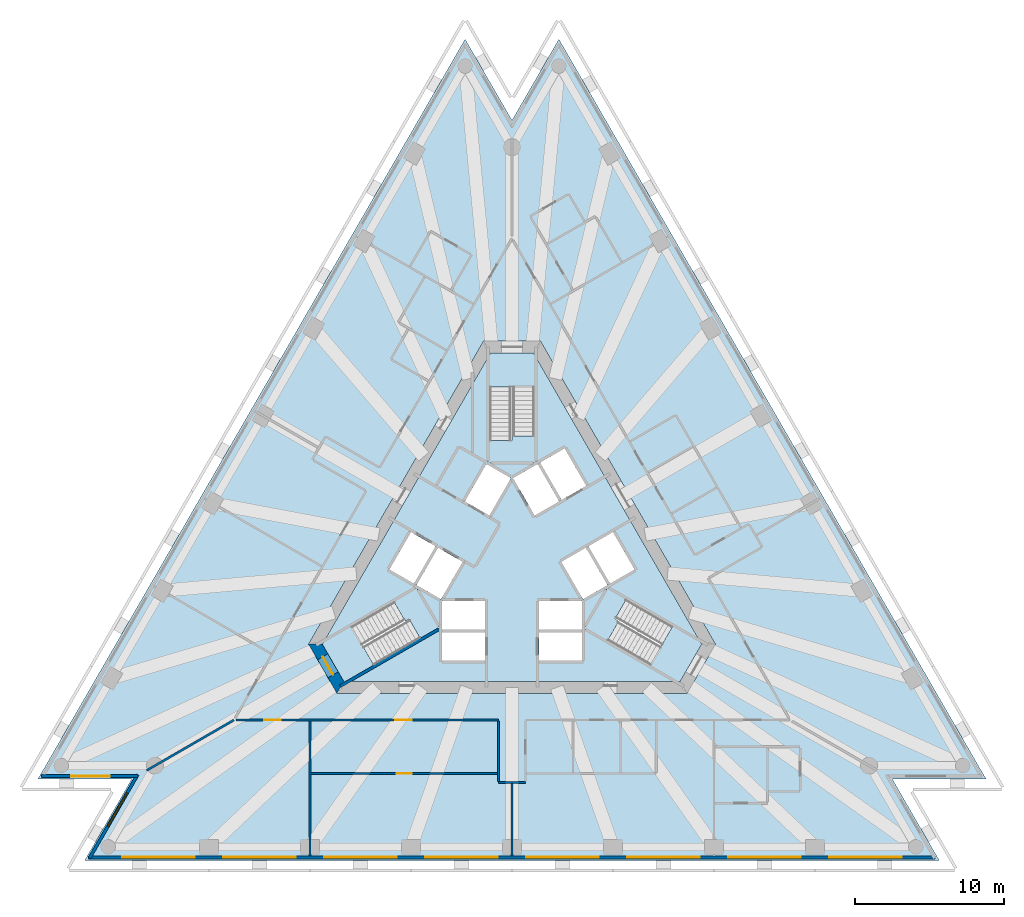
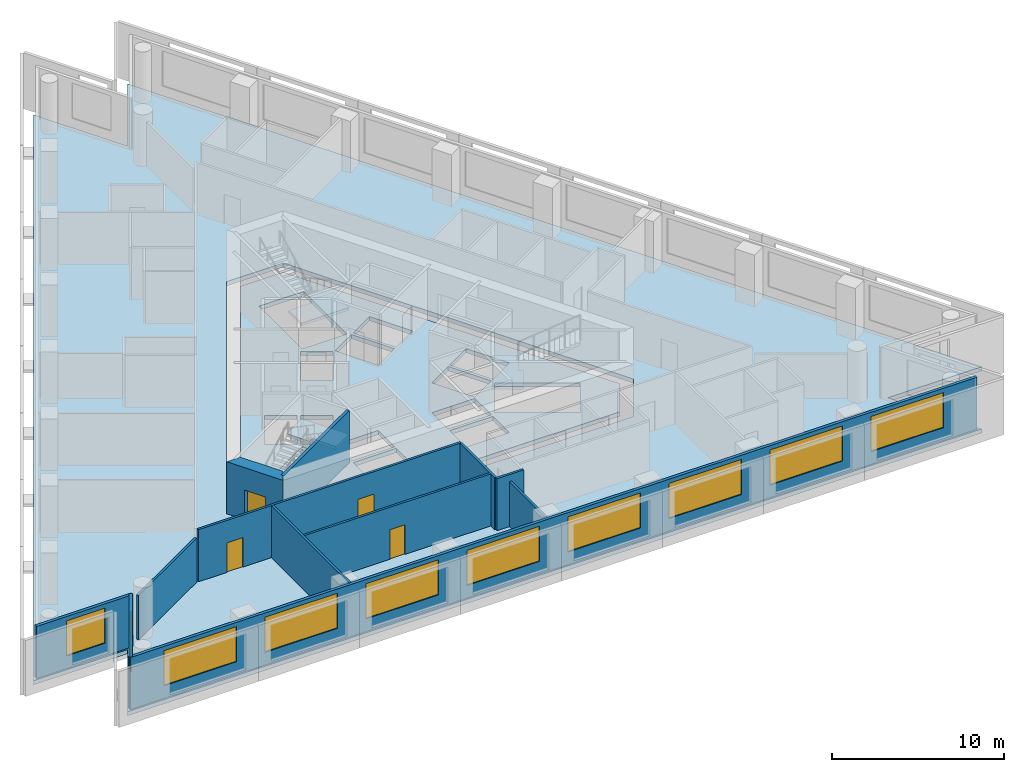
# One storey, part 2 of 9: 12 walls, 10 windows, 5 slabs, 4 doors, 14 openings, 3 elements without a shape of their own.
"""IFC4 building model written with IfcOpenShell, lengths in metres."""

from ifc_helpers import new_model, si_unit, direction, frame, frame_2d, origin, place, context, subcontext, project, spatial, polyline, rectangle, outline, extrude, material, layer, layer_set, layer_usage, type_object, element, fill, aggregate, save


model = new_model("IFC4")

# Units and contexts
model_context = context("Model", 3, precision=1e-05, world=origin(), true_north=direction((0.0, 1.0)))
body_context = subcontext(model_context, "Body", "Model", "MODEL_VIEW")
ifc_project = project(units=[si_unit("LENGTHUNIT", "METRE"), si_unit("AREAUNIT", "SQUARE_METRE"), si_unit("VOLUMEUNIT", "CUBIC_METRE"), si_unit("PLANEANGLEUNIT", "RADIAN"), si_unit("MASSUNIT", "GRAM", prefix="KILO")], contexts=[model_context])

# Site, building, storey
site_placement = place(None, origin())
site = spatial("IfcSite", under=ifc_project, at=site_placement, CompositionType="ELEMENT")
building_placement = place(site_placement, origin())
building = spatial("IfcBuilding", under=site, at=building_placement, Name="Triada Interchange Tower", CompositionType="ELEMENT")
storey_placement = place(building_placement, frame((0.0, 0.0, 128.300048828125)))
storey = spatial("IfcBuildingStorey", under=building, at=storey_placement, Name="L29", CompositionType="ELEMENT", Elevation=128.300048828125)

# Slabs
ifc_material_1 = material(Name="Concrete C50/60", Category="concrete")
ifc_layer_1 = layer(ifc_material_1, 0.300048828125)
ifc_layer_set_1 = layer_set([ifc_layer_1], Name="Floor slab 300")
slab_type_1 = type_object("IfcSlabType", Name="Floor slab 300", PredefinedType="FLOOR", material=ifc_layer_set_1)
slab_1_placement = place(storey_placement, frame((0.0, 0.0, -0.300048828125)))
element("IfcSlab", 1, at=slab_1_placement, inside=storey, type_object=slab_type_1, Name="Floor slab L29", PredefinedType="FLOOR", context=body_context, shape_type="SweptSolid", body=[
    extrude(outline(polyline([(-3.154052734375, 35.0009765625), (-31.888916015625, -14.76904296875), (-25.5810546875, -14.76904296875), (-28.735107421875, -20.23193359375), (28.735107421875, -20.23193359375), (25.5810546875, -14.76904296875), (31.888916015625, -14.76904296875), (3.154052734375, 35.0009765625), (0.0, 29.5390625), (-3.154052734375, 35.0009765625)]), holes=[polyline([(1.905029296875, 14.699951171875), (-1.905029296875, 14.699951171875), (-13.68310546875, -5.699951171875), (-11.778076171875, -9.0), (11.778076171875, -9.0), (13.68310546875, -5.699951171875), (1.905029296875, 14.699951171875)])]), origin(), (0.0, 0.0, 1.0), 0.300048828125),
])
slab_2_placement = place(storey_placement, frame((0.0, 0.0, -0.300048828125)))
element("IfcSlab", 2, at=slab_2_placement, inside=storey, type_object=slab_type_1, Name="Core floor slab L29 1", PredefinedType="FLOOR", context=body_context, shape_type="SweptSolid", body=[
    extrude(outline(polyline([(12.759033203125, -5.699951171875), (11.31591796875, -8.199951171875), (-11.31591796875, -8.199951171875), (-12.759033203125, -5.699951171875), (-1.443115234375, 13.89990234375), (1.443115234375, 13.89990234375), (12.759033203125, -5.699951171875)]), holes=[polyline([(9.2958984375, -7.09912109375), (10.7958984375, -4.5009765625), (6.466064453125, -2.0009765625), (4.966064453125, -4.59912109375), (9.2958984375, -7.09912109375)]), polyline([(6.7890625, 1.841064453125), (5.14404296875, 0.89111328125), (6.593994140625, -1.6201171875), (8.239013671875, -0.669921875), (6.7890625, 1.841064453125)]), polyline([(4.77490234375, -2.669921875), (6.419921875, -1.719970703125), (4.969970703125, 0.791015625), (3.9150390625, 0.181884765625), (3.324951171875, -0.158935546875), (4.77490234375, -2.669921875)]), polyline([(1.89404296875, 6.52001953125), (3.343994140625, 4.009033203125), (4.989013671875, 4.958984375), (3.5390625, 7.469970703125), (1.89404296875, 6.52001953125)]), polyline([(4.699951171875, -6.800048828125), (4.699951171875, -4.89990234375), (1.800048828125, -4.89990234375), (1.800048828125, -6.800048828125), (4.699951171875, -6.800048828125)]), polyline([(4.699951171875, -2.800048828125), (1.800048828125, -2.800048828125), (1.800048828125, -4.699951171875), (4.699951171875, -4.699951171875), (4.699951171875, -2.800048828125)]), polyline([(0.074951171875, 5.469970703125), (1.52490234375, 2.958984375), (3.169921875, 3.908935546875), (1.719970703125, 6.419921875), (0.074951171875, 5.469970703125)]), polyline([(1.5, 11.60009765625), (-1.5, 11.60009765625), (-1.5, 6.60009765625), (1.5, 6.60009765625), (1.5, 11.60009765625)]), polyline([(-1.52490234375, 2.958984375), (-0.074951171875, 5.469970703125), (-1.719970703125, 6.419921875), (-3.169921875, 3.908935546875), (-1.52490234375, 2.958984375)]), polyline([(-1.800048828125, -2.800048828125), (-4.699951171875, -2.800048828125), (-4.699951171875, -4.699951171875), (-1.800048828125, -4.699951171875), (-1.800048828125, -2.800048828125)]), polyline([(-4.699951171875, -6.800048828125), (-1.800048828125, -6.800048828125), (-1.800048828125, -4.89990234375), (-4.699951171875, -4.89990234375), (-4.699951171875, -6.800048828125)]), polyline([(-4.77490234375, -2.669921875), (-3.324951171875, -0.158935546875), (-4.969970703125, 0.791015625), (-6.419921875, -1.719970703125), (-4.77490234375, -2.669921875)]), polyline([(-10.7958984375, -4.5009765625), (-9.2958984375, -7.09912109375), (-4.966064453125, -4.59912109375), (-6.466064453125, -2.0009765625), (-10.7958984375, -4.5009765625)]), polyline([(-6.593994140625, -1.6201171875), (-5.14404296875, 0.89111328125), (-6.7890625, 1.841064453125), (-8.239013671875, -0.669921875), (-6.593994140625, -1.6201171875)])]), origin(), (0.0, 0.0, 1.0), 0.300048828125),
])

# Stair, slab
ifc_material_2 = material(Name="Concrete C35/45", Category="concrete")
stair_type = type_object("IfcStairType", Name="HALF TURN STAIR 1400", PredefinedType="HALF_TURN_STAIR", material=ifc_material_2)
stair_1_placement = place(storey_placement, origin())
stair_1 = element("IfcStair", 3, at=stair_1_placement, inside=storey, type_object=stair_type, Name="Exit stair S29-1", PredefinedType="HALF_TURN_STAIR")
ifc_layer_2 = layer(ifc_material_2, 0.199951171875)
ifc_layer_set_2 = layer_set([ifc_layer_2], Name="STAIR LANDING 200")
slab_type_2 = type_object("IfcSlabType", Name="STAIR LANDING 200", PredefinedType="LANDING", material=ifc_layer_set_2)
slab_3_placement = place(storey_placement, frame((0.0, 0.0, 1.719970703125)))
slab_3 = element("IfcSlab", 4, at=slab_3_placement, type_object=slab_type_2, Name="S29-1 landing 1", PredefinedType="LANDING", context=body_context, shape_type="SweptSolid", body=[
    extrude(outline(polyline([(1.60009765625, 6.5), (1.60009765625, 8.300048828125), (0.0, 8.300048828125), (0.0, 8.0), (-1.60009765625, 8.0), (-1.60009765625, 6.5), (1.60009765625, 6.5)])), origin(), (0.0, 0.0, 1.0), 0.199951171875),
])
aggregate(stair_1, [slab_3])

stair_2_placement = place(storey_placement, origin())
stair_2 = element("IfcStair", 5, at=stair_2_placement, inside=storey, type_object=stair_type, Name="Exit stair S29-2", PredefinedType="HALF_TURN_STAIR")
slab_4_placement = place(storey_placement, frame((0.0, 0.0, 1.719970703125)))
slab_4 = element("IfcSlab", 6, at=slab_4_placement, type_object=slab_type_2, Name="S29-2 landing 1", PredefinedType="LANDING", context=body_context, shape_type="SweptSolid", body=[
    extrude(outline(polyline([(-6.428955078125, -1.864013671875), (-7.988037109375, -2.763916015625), (-7.18798828125, -4.14990234375), (-6.927978515625, -4.0), (-6.1279296875, -5.385986328125), (-4.8291015625, -4.635986328125), (-6.428955078125, -1.864013671875)])), origin(), (0.0, 0.0, 1.0), 0.199951171875),
])
aggregate(stair_2, [slab_4])

stair_3_placement = place(storey_placement, origin())
stair_3 = element("IfcStair", 7, at=stair_3_placement, inside=storey, type_object=stair_type, Name="Exit stair S29-3", PredefinedType="HALF_TURN_STAIR")
slab_5_placement = place(storey_placement, frame((0.0, 0.0, 1.719970703125)))
slab_5 = element("IfcSlab", 8, at=slab_5_placement, type_object=slab_type_2, Name="S29-3 landing 1", PredefinedType="LANDING", context=body_context, shape_type="SweptSolid", body=[
    extrude(outline(polyline([(4.8291015625, -4.635986328125), (6.387939453125, -5.535888671875), (7.18798828125, -4.14990234375), (6.927978515625, -4.0), (7.72802734375, -2.614013671875), (6.428955078125, -1.864013671875), (4.8291015625, -4.635986328125)])), origin(), (0.0, 0.0, 1.0), 0.199951171875),
])
aggregate(stair_3, [slab_5])

# Wall
ifc_material_3 = material(Name="Concrete C30/37", Category="concrete")
ifc_layer_3 = layer(ifc_material_3, 0.199951171875)
ifc_layer_set_3 = layer_set([ifc_layer_3], Name="CORE WALL 200 REI 240")
wall_type_1 = type_object("IfcWallType", Name="CORE WALL 200 REI 240", PredefinedType="SOLIDWALL", material=ifc_layer_set_3)
wall_1_placement = place(storey_placement, frame((-11.56689453125, -8.52587890625, 0.0), z_axis=(0.0, 0.0, 1.0), x_axis=(0.866005769735, 0.50003400563, 0.0)))
element("IfcWall", 9, at=wall_1_placement, inside=storey, type_object=wall_type_1, Name="Wall L29 94", PredefinedType="SOLIDWALL", context=body_context, shape_type="SweptSolid", body=[
    extrude(rectangle(XDim=7.6650390625, YDim=0.199951171875, at=frame_2d((3.83251953125, 0.0))), origin(), (0.0, 0.0, 1.0), 3.699951171875),
])

# Wall, opening, door
ifc_material_4 = material(Name="Concrete C60/75", Category="concrete")
ifc_layer_4 = layer(ifc_material_4, 0.800048828125)
ifc_layer_set_4 = layer_set([ifc_layer_4], Name="Core wall B 800")
wall_type_2 = type_object("IfcWallType", Name="Core wall B 800", PredefinedType="SHEAR", material=ifc_layer_set_4)
wall_2_placement = place(storey_placement, frame((-13.220947265625, -5.699951171875, -0.300048828125), z_axis=(0.0, 0.0, 1.0), x_axis=(0.49987182685, -0.866099391942, 0.0)))
wall_2 = element("IfcWall", 10, at=wall_2_placement, inside=storey, type_object=wall_type_2, Name="Core wall WB03 L29", PredefinedType="SHEAR", context=body_context, shape_type="SweptSolid", body=[
    extrude(outline(polyline([(-0.23095703125, -0.39990234375), (1.674072265625, -0.39990234375), (3.5791015625, -0.39990234375), (3.117919921875, 0.39990234375), (1.67431640625, 0.39990234375), (0.23095703125, 0.39990234375), (-0.23095703125, -0.39990234375)])), origin(), (0.0, 0.0, 1.0), 4.0),
])
opening_1_placement = place(wall_2_placement, frame((0.97412109375, 0.0, 0.300048828125)))
opening_1 = element("IfcOpeningElement", 11, at=opening_1_placement, cuts=wall_2, Name="Opening D29-39", PredefinedType="OPENING", context=body_context, shape_type="SweptSolid", body=[
    extrude(rectangle(XDim=1.39990234375, YDim=2.10009765625, at=frame_2d((0.699951171875, 1.050048828125))), frame((0.0, 0.409912109375, 0.0), z_axis=(0.0, -1.0, 0.0), x_axis=(1.0, 0.0, 0.0)), (0.0, 0.0, 1.0), 0.820068359375),
])
ifc_material_5 = material(Name="Steel S235 door leaf", Category="steel")
door_type_1 = type_object("IfcDoorType", Name="STAIR DOOR 1400 EI2 90-C5S200", OperationType="DOUBLE_DOOR_SINGLE_SWING", PredefinedType="DOOR", material=ifc_material_5)
door_1_placement = place(opening_1_placement, origin())
door_1 = element("IfcDoor", 12, at=door_1_placement, inside=storey, type_object=door_type_1, Name="Door D29-39 L29", OperationType="DOUBLE_DOOR_SINGLE_SWING", OverallHeight=2.10009765625, OverallWidth=1.39990234375, PredefinedType="DOOR", context=body_context, shape_type="SweptSolid", body=[
    extrude(rectangle(XDim=1.39990234375, YDim=2.10009765625, at=frame_2d((0.699951171875, 1.050048828125))), frame((0.0, 0.02490234375, 0.0), z_axis=(0.0, -1.0, 0.0), x_axis=(1.0, 0.0, 0.0)), (0.0, 0.0, 1.0), 0.050048828125),
])
fill(opening_1, door_1)

# Wall, opening, window
ifc_material_6 = material(Name="Cement board")
ifc_layer_5 = layer(ifc_material_6, 0.02001953125, Name="Cement board cladding")
ifc_material_7 = material(Name="Sheathing board")
ifc_layer_6 = layer(ifc_material_7, 0.014892578125, Name="Sheathing board")
ifc_material_8 = material(Name="Mineral wool")
ifc_layer_7 = layer(ifc_material_8, 0.14990234375, Name="Mineral wool between steel studs")
ifc_material_9 = material(Name="Gypsum board")
ifc_layer_8 = layer(ifc_material_9, 0.014892578125, Name="Plasterboard lining")
ifc_layer_set_5 = layer_set([ifc_layer_5, ifc_layer_6, ifc_layer_7, ifc_layer_8], Name="External wall 200")
ifc_layer_usage = layer_usage(ifc_layer_set_5, "AXIS2", "POSITIVE", -0.10009765625)
wall_type_3 = type_object("IfcWallType", Name="External wall 200", PredefinedType="ELEMENTEDWALL", material=ifc_layer_set_5)
wall_3_placement = place(storey_placement, frame((-31.633056640625, -14.569091796875, 0.0), z_axis=(0.0, 0.0, 1.0), x_axis=(1.0, 0.0, 0.0)))
wall_3 = element("IfcWall", 13, at=wall_3_placement, inside=storey, type_object=wall_type_3, material=ifc_layer_usage, Name="External wall L29 SW-1", PredefinedType="ELEMENTEDWALL", context=body_context, shape_type="SweptSolid", body=[
    extrude(rectangle(XDim=6.468017578125, YDim=0.199951171875, at=frame_2d((3.23388671875, 0.0))), origin(), (0.0, 0.0, 1.0), 3.699951171875),
])
opening_2_placement = place(wall_3_placement, frame((1.989990234375, 0.0, 0.89990234375)))
opening_2 = element("IfcOpeningElement", 14, at=opening_2_placement, cuts=wall_3, Name="Opening WB09", PredefinedType="OPENING", context=body_context, shape_type="SweptSolid", body=[
    extrude(rectangle(XDim=2.60009765625, YDim=2.5, at=frame_2d((1.300048828125, 1.25))), frame((0.0, 0.10986328125, 0.0), z_axis=(0.0, -1.0, 0.0), x_axis=(1.0, 0.0, 0.0)), (0.0, 0.0, 1.0), 0.219970703125),
])
ifc_material_10 = material(Name="Double glazed aluminium window", Category="aluminium")
window_type_1 = type_object("IfcWindowType", Name="Ribbon window B pocket", PartitioningType="SINGLE_PANEL", PredefinedType="WINDOW", material=ifc_material_10)
window_1_placement = place(opening_2_placement, origin())
window_1 = element("IfcWindow", 15, at=window_1_placement, inside=storey, type_object=window_type_1, Name="Window L29 SW-1 1", OverallHeight=2.5, OverallWidth=2.60009765625, PartitioningType="SINGLE_PANEL", PredefinedType="WINDOW", context=body_context, shape_type="SweptSolid", body=[
    extrude(rectangle(XDim=2.60009765625, YDim=2.5, at=frame_2d((1.300048828125, 1.25))), frame((0.0, 0.030029296875, 0.0), z_axis=(0.0, -1.0, 0.0), x_axis=(1.0, 0.0, 0.0)), (0.0, 0.0, 1.0), 0.06005859375),
])
fill(opening_2, window_1)

wall_4_placement = place(storey_placement, frame((-25.18994140625, -14.490966796875, 0.0), z_axis=(0.0, 0.0, 1.0), x_axis=(-0.499975110204, -0.866039773438, 0.0)))
wall_4 = element("IfcWall", 16, at=wall_4_placement, inside=storey, type_object=wall_type_3, material=ifc_layer_usage, Name="External wall L29 SW-2", PredefinedType="ELEMENTEDWALL", context=body_context, shape_type="SweptSolid", body=[
    extrude(rectangle(XDim=6.468505859375, YDim=0.199951171875, at=frame_2d((3.234375, 0.0))), origin(), (0.0, 0.0, 1.0), 3.699951171875),
])
opening_3_placement = place(wall_4_placement, frame((1.389892578125, 0.0, 0.89990234375)))
opening_3 = element("IfcOpeningElement", 17, at=opening_3_placement, cuts=wall_4, Name="Opening WB10", PredefinedType="OPENING", context=body_context, shape_type="SweptSolid", body=[
    extrude(rectangle(XDim=2.60009765625, YDim=2.5, at=frame_2d((1.300048828125, 1.25))), frame((0.0, 0.10986328125, 0.0), z_axis=(0.0, -1.0, 0.0), x_axis=(1.0, 0.0, 0.0)), (0.0, 0.0, 1.0), 0.219970703125),
])
window_2_placement = place(opening_3_placement, origin())
window_2 = element("IfcWindow", 18, at=window_2_placement, inside=storey, type_object=window_type_1, Name="Window L29 SW-2 1", OverallHeight=2.5, OverallWidth=2.60009765625, PartitioningType="SINGLE_PANEL", PredefinedType="WINDOW", context=body_context, shape_type="SweptSolid", body=[
    extrude(rectangle(XDim=2.60009765625, YDim=2.5, at=frame_2d((1.300048828125, 1.25))), frame((0.0, 0.030029296875, 0.0), z_axis=(0.0, -1.0, 0.0), x_axis=(1.0, 0.0, 0.0)), (0.0, 0.0, 1.0), 0.06005859375),
])
fill(opening_3, window_2)

# Wall, openings, windows
wall_5_placement = place(storey_placement, frame((-28.47900390625, -20.031982421875, 0.0), z_axis=(0.0, 0.0, 1.0), x_axis=(1.0, 0.0, 0.0)))
wall_5 = element("IfcWall", 19, at=wall_5_placement, inside=storey, type_object=wall_type_3, material=ifc_layer_usage, Name="External wall L29 S", PredefinedType="ELEMENTEDWALL", context=body_context, shape_type="SweptSolid", body=[
    extrude(rectangle(XDim=56.93798828125, YDim=0.199951171875, at=frame_2d((28.468994140625, 0.0))), origin(), (0.0, 0.0, 1.0), 3.699951171875),
])
opening_4_placement = place(wall_5_placement, frame((2.25, 0.0, 0.89990234375)))
opening_4 = element("IfcOpeningElement", 20, at=opening_4_placement, cuts=wall_5, Name="Opening WB11", PredefinedType="OPENING", context=body_context, shape_type="SweptSolid", body=[
    extrude(rectangle(XDim=4.89990234375, YDim=2.5, at=frame_2d((2.449951171875, 1.25))), frame((0.0, 0.10986328125, 0.0), z_axis=(0.0, -1.0, 0.0), x_axis=(1.0, 0.0, 0.0)), (0.0, 0.0, 1.0), 0.219970703125),
])
opening_5_placement = place(wall_5_placement, frame((9.0439453125, 0.0, 0.89990234375)))
opening_5 = element("IfcOpeningElement", 21, at=opening_5_placement, cuts=wall_5, Name="Opening WB12", PredefinedType="OPENING", context=body_context, shape_type="SweptSolid", body=[
    extrude(rectangle(XDim=4.89990234375, YDim=2.5, at=frame_2d((2.449951171875, 1.25))), frame((0.0, 0.10986328125, 0.0), z_axis=(0.0, -1.0, 0.0), x_axis=(1.0, 0.0, 0.0)), (0.0, 0.0, 1.0), 0.219970703125),
])
opening_6_placement = place(wall_5_placement, frame((15.837890625, 0.0, 0.89990234375)))
opening_6 = element("IfcOpeningElement", 22, at=opening_6_placement, cuts=wall_5, Name="Opening WB13", PredefinedType="OPENING", context=body_context, shape_type="SweptSolid", body=[
    extrude(rectangle(XDim=4.89990234375, YDim=2.5, at=frame_2d((2.449951171875, 1.25))), frame((0.0, 0.10986328125, 0.0), z_axis=(0.0, -1.0, 0.0), x_axis=(1.0, 0.0, 0.0)), (0.0, 0.0, 1.0), 0.219970703125),
])
opening_7_placement = place(wall_5_placement, frame((22.632080078125, 0.0, 0.89990234375)))
opening_7 = element("IfcOpeningElement", 23, at=opening_7_placement, cuts=wall_5, Name="Opening WB14", PredefinedType="OPENING", context=body_context, shape_type="SweptSolid", body=[
    extrude(rectangle(XDim=4.89990234375, YDim=2.5, at=frame_2d((2.449951171875, 1.25))), frame((0.0, 0.10986328125, 0.0), z_axis=(0.0, -1.0, 0.0), x_axis=(1.0, 0.0, 0.0)), (0.0, 0.0, 1.0), 0.219970703125),
])
opening_8_placement = place(wall_5_placement, frame((29.426025390625, 0.0, 0.89990234375)))
opening_8 = element("IfcOpeningElement", 24, at=opening_8_placement, cuts=wall_5, Name="Opening WB15", PredefinedType="OPENING", context=body_context, shape_type="SweptSolid", body=[
    extrude(rectangle(XDim=4.89990234375, YDim=2.5, at=frame_2d((2.449951171875, 1.25))), frame((0.0, 0.10986328125, 0.0), z_axis=(0.0, -1.0, 0.0), x_axis=(1.0, 0.0, 0.0)), (0.0, 0.0, 1.0), 0.219970703125),
])
opening_9_placement = place(wall_5_placement, frame((36.219970703125, 0.0, 0.89990234375)))
opening_9 = element("IfcOpeningElement", 25, at=opening_9_placement, cuts=wall_5, Name="Opening WB16", PredefinedType="OPENING", context=body_context, shape_type="SweptSolid", body=[
    extrude(rectangle(XDim=4.89990234375, YDim=2.5, at=frame_2d((2.449951171875, 1.25))), frame((0.0, 0.10986328125, 0.0), z_axis=(0.0, -1.0, 0.0), x_axis=(1.0, 0.0, 0.0)), (0.0, 0.0, 1.0), 0.219970703125),
])
opening_10_placement = place(wall_5_placement, frame((43.013916015625, 0.0, 0.89990234375)))
opening_10 = element("IfcOpeningElement", 26, at=opening_10_placement, cuts=wall_5, Name="Opening WB17", PredefinedType="OPENING", context=body_context, shape_type="SweptSolid", body=[
    extrude(rectangle(XDim=4.89990234375, YDim=2.5, at=frame_2d((2.449951171875, 1.25))), frame((0.0, 0.10986328125, 0.0), z_axis=(0.0, -1.0, 0.0), x_axis=(1.0, 0.0, 0.0)), (0.0, 0.0, 1.0), 0.219970703125),
])
opening_11_placement = place(wall_5_placement, frame((49.80810546875, 0.0, 0.89990234375)))
opening_11 = element("IfcOpeningElement", 27, at=opening_11_placement, cuts=wall_5, Name="Opening WB18", PredefinedType="OPENING", context=body_context, shape_type="SweptSolid", body=[
    extrude(rectangle(XDim=4.89990234375, YDim=2.5, at=frame_2d((2.449951171875, 1.25))), frame((0.0, 0.10986328125, 0.0), z_axis=(0.0, -1.0, 0.0), x_axis=(1.0, 0.0, 0.0)), (0.0, 0.0, 1.0), 0.219970703125),
])
window_type_2 = type_object("IfcWindowType", Name="Ribbon window B face", PartitioningType="SINGLE_PANEL", PredefinedType="WINDOW", material=ifc_material_10)
window_3_placement = place(opening_4_placement, origin())
window_3 = element("IfcWindow", 28, at=window_3_placement, inside=storey, type_object=window_type_2, Name="Window L29 S 1", OverallHeight=2.5, OverallWidth=4.89990234375, PartitioningType="SINGLE_PANEL", PredefinedType="WINDOW", context=body_context, shape_type="SweptSolid", body=[
    extrude(rectangle(XDim=4.89990234375, YDim=2.5, at=frame_2d((2.449951171875, 1.25))), frame((0.0, 0.030029296875, 0.0), z_axis=(0.0, -1.0, 0.0), x_axis=(1.0, 0.0, 0.0)), (0.0, 0.0, 1.0), 0.06005859375),
])
fill(opening_4, window_3)
window_4_placement = place(opening_5_placement, origin())
window_4 = element("IfcWindow", 29, at=window_4_placement, inside=storey, type_object=window_type_2, Name="Window L29 S 2", OverallHeight=2.5, OverallWidth=4.89990234375, PartitioningType="SINGLE_PANEL", PredefinedType="WINDOW", context=body_context, shape_type="SweptSolid", body=[
    extrude(rectangle(XDim=4.89990234375, YDim=2.5, at=frame_2d((2.449951171875, 1.25))), frame((0.0, 0.030029296875, 0.0), z_axis=(0.0, -1.0, 0.0), x_axis=(1.0, 0.0, 0.0)), (0.0, 0.0, 1.0), 0.06005859375),
])
fill(opening_5, window_4)
window_5_placement = place(opening_6_placement, origin())
window_5 = element("IfcWindow", 30, at=window_5_placement, inside=storey, type_object=window_type_2, Name="Window L29 S 3", OverallHeight=2.5, OverallWidth=4.89990234375, PartitioningType="SINGLE_PANEL", PredefinedType="WINDOW", context=body_context, shape_type="SweptSolid", body=[
    extrude(rectangle(XDim=4.89990234375, YDim=2.5, at=frame_2d((2.449951171875, 1.25))), frame((0.0, 0.030029296875, 0.0), z_axis=(0.0, -1.0, 0.0), x_axis=(1.0, 0.0, 0.0)), (0.0, 0.0, 1.0), 0.06005859375),
])
fill(opening_6, window_5)
window_6_placement = place(opening_7_placement, origin())
window_6 = element("IfcWindow", 31, at=window_6_placement, inside=storey, type_object=window_type_2, Name="Window L29 S 4", OverallHeight=2.5, OverallWidth=4.89990234375, PartitioningType="SINGLE_PANEL", PredefinedType="WINDOW", context=body_context, shape_type="SweptSolid", body=[
    extrude(rectangle(XDim=4.89990234375, YDim=2.5, at=frame_2d((2.449951171875, 1.25))), frame((0.0, 0.030029296875, 0.0), z_axis=(0.0, -1.0, 0.0), x_axis=(1.0, 0.0, 0.0)), (0.0, 0.0, 1.0), 0.06005859375),
])
fill(opening_7, window_6)
window_7_placement = place(opening_8_placement, origin())
window_7 = element("IfcWindow", 32, at=window_7_placement, inside=storey, type_object=window_type_2, Name="Window L29 S 5", OverallHeight=2.5, OverallWidth=4.89990234375, PartitioningType="SINGLE_PANEL", PredefinedType="WINDOW", context=body_context, shape_type="SweptSolid", body=[
    extrude(rectangle(XDim=4.89990234375, YDim=2.5, at=frame_2d((2.449951171875, 1.25))), frame((0.0, 0.030029296875, 0.0), z_axis=(0.0, -1.0, 0.0), x_axis=(1.0, 0.0, 0.0)), (0.0, 0.0, 1.0), 0.06005859375),
])
fill(opening_8, window_7)
window_8_placement = place(opening_9_placement, origin())
window_8 = element("IfcWindow", 33, at=window_8_placement, inside=storey, type_object=window_type_2, Name="Window L29 S 6", OverallHeight=2.5, OverallWidth=4.89990234375, PartitioningType="SINGLE_PANEL", PredefinedType="WINDOW", context=body_context, shape_type="SweptSolid", body=[
    extrude(rectangle(XDim=4.89990234375, YDim=2.5, at=frame_2d((2.449951171875, 1.25))), frame((0.0, 0.030029296875, 0.0), z_axis=(0.0, -1.0, 0.0), x_axis=(1.0, 0.0, 0.0)), (0.0, 0.0, 1.0), 0.06005859375),
])
fill(opening_9, window_8)
window_9_placement = place(opening_10_placement, origin())
window_9 = element("IfcWindow", 34, at=window_9_placement, inside=storey, type_object=window_type_2, Name="Window L29 S 7", OverallHeight=2.5, OverallWidth=4.89990234375, PartitioningType="SINGLE_PANEL", PredefinedType="WINDOW", context=body_context, shape_type="SweptSolid", body=[
    extrude(rectangle(XDim=4.89990234375, YDim=2.5, at=frame_2d((2.449951171875, 1.25))), frame((0.0, 0.030029296875, 0.0), z_axis=(0.0, -1.0, 0.0), x_axis=(1.0, 0.0, 0.0)), (0.0, 0.0, 1.0), 0.06005859375),
])
fill(opening_10, window_9)
window_10_placement = place(opening_11_placement, origin())
window_10 = element("IfcWindow", 35, at=window_10_placement, inside=storey, type_object=window_type_2, Name="Window L29 S 8", OverallHeight=2.5, OverallWidth=4.89990234375, PartitioningType="SINGLE_PANEL", PredefinedType="WINDOW", context=body_context, shape_type="SweptSolid", body=[
    extrude(rectangle(XDim=4.89990234375, YDim=2.5, at=frame_2d((2.449951171875, 1.25))), frame((0.0, 0.030029296875, 0.0), z_axis=(0.0, -1.0, 0.0), x_axis=(1.0, 0.0, 0.0)), (0.0, 0.0, 1.0), 0.06005859375),
])
fill(opening_11, window_10)

# Wall
ifc_material_11 = material(Name="Gypsum board partition")
ifc_layer_9 = layer(ifc_material_11, 0.14990234375)
ifc_layer_set_6 = layer_set([ifc_layer_9], Name="PARTITION 150 EI 180")
wall_type_4 = type_object("IfcWallType", Name="PARTITION 150 EI 180", PredefinedType="PARTITIONING", material=ifc_layer_set_6)
wall_6_placement = place(storey_placement, frame((-24.55908203125, -14.178955078125, 0.0), z_axis=(0.0, 0.0, 1.0), x_axis=(0.866047229553, 0.499962194753, 0.0)))
element("IfcWall", 36, at=wall_6_placement, inside=storey, type_object=wall_type_4, Name="Wall L29 1", PredefinedType="PARTITIONING", context=body_context, shape_type="SweptSolid", body=[
    extrude(rectangle(XDim=6.75830078125, YDim=0.14990234375, at=frame_2d((3.379150390625, 0.0))), origin(), (0.0, 0.0, 1.0), 3.14990234375),
])

# Wall, openings, doors
wall_7_placement = place(storey_placement, frame((-18.555908203125, -10.800048828125, 0.0), z_axis=(0.0, 0.0, 1.0), x_axis=(1.0, 0.0, 0.0)))
wall_7 = element("IfcWall", 37, at=wall_7_placement, inside=storey, type_object=wall_type_4, Name="Wall L29 4", PredefinedType="PARTITIONING", context=body_context, shape_type="SweptSolid", body=[
    extrude(rectangle(XDim=17.655029296875, YDim=0.14990234375, at=frame_2d((8.82763671875, 0.0))), origin(), (0.0, 0.0, 1.0), 3.699951171875),
])
opening_12_placement = place(wall_7_placement, frame((1.89990234375, 0.0, 0.0)))
opening_12 = element("IfcOpeningElement", 38, at=opening_12_placement, cuts=wall_7, Name="Opening D29-11", PredefinedType="OPENING", context=body_context, shape_type="SweptSolid", body=[
    extrude(rectangle(XDim=1.10009765625, YDim=2.10009765625, at=frame_2d((0.550048828125, 1.050048828125))), frame((0.0, 0.0849609375, 0.0), z_axis=(0.0, -1.0, 0.0), x_axis=(1.0, 0.0, 0.0)), (0.0, 0.0, 1.0), 0.169921875),
])
opening_13_placement = place(wall_7_placement, frame((10.718017578125, 0.0, 0.0)))
opening_13 = element("IfcOpeningElement", 39, at=opening_13_placement, cuts=wall_7, Name="Opening D29-12", PredefinedType="OPENING", context=body_context, shape_type="SweptSolid", body=[
    extrude(rectangle(XDim=1.10009765625, YDim=2.10009765625, at=frame_2d((0.550048828125, 1.050048828125))), frame((0.0, 0.0849609375, 0.0), z_axis=(0.0, -1.0, 0.0), x_axis=(1.0, 0.0, 0.0)), (0.0, 0.0, 1.0), 0.169921875),
])
door_type_2 = type_object("IfcDoorType", Name="TENANCY ENTRANCE DOOR 1100 EI2 90-C5S200", OperationType="NOTDEFINED", PredefinedType="DOOR", material=ifc_material_5)
door_2_placement = place(opening_12_placement, origin())
door_2 = element("IfcDoor", 40, at=door_2_placement, inside=storey, type_object=door_type_2, Name="Door D29-11 L29", OperationType="SINGLE_SWING_RIGHT", OverallHeight=2.10009765625, OverallWidth=1.10009765625, PredefinedType="DOOR", context=body_context, shape_type="SweptSolid", body=[
    extrude(rectangle(XDim=1.10009765625, YDim=2.10009765625, at=frame_2d((0.550048828125, 1.050048828125))), frame((0.0, 0.02490234375, 0.0), z_axis=(0.0, -1.0, 0.0), x_axis=(1.0, 0.0, 0.0)), (0.0, 0.0, 1.0), 0.050048828125),
])
fill(opening_12, door_2)
door_3_placement = place(opening_13_placement, origin())
door_3 = element("IfcDoor", 41, at=door_3_placement, inside=storey, type_object=door_type_2, Name="Door D29-12 L29", OperationType="SINGLE_SWING_LEFT", OverallHeight=2.10009765625, OverallWidth=1.10009765625, PredefinedType="DOOR", context=body_context, shape_type="SweptSolid", body=[
    extrude(rectangle(XDim=1.10009765625, YDim=2.10009765625, at=frame_2d((0.550048828125, 1.050048828125))), frame((0.0, 0.02490234375, 0.0), z_axis=(0.0, -1.0, 0.0), x_axis=(1.0, 0.0, 0.0)), (0.0, 0.0, 1.0), 0.050048828125),
])
fill(opening_13, door_3)

# Walls
wall_8_placement = place(storey_placement, frame((-13.587890625, -19.951904296875, 0.0), z_axis=(0.0, 0.0, 1.0), x_axis=(0.0, 1.0, 0.0)))
element("IfcWall", 42, at=wall_8_placement, inside=storey, type_object=wall_type_4, Name="Wall L29 10", PredefinedType="PARTITIONING", context=body_context, shape_type="SweptSolid", body=[
    extrude(rectangle(XDim=9.076904296875, YDim=0.14990234375, at=frame_2d((4.53857421875, 0.0))), origin(), (0.0, 0.0, 1.0), 3.699951171875),
])
wall_9_placement = place(storey_placement, frame((-0.89990234375, -15.0, 0.0), z_axis=(0.0, 0.0, 1.0), x_axis=(1.0, 0.0, 0.0)))
element("IfcWall", 43, at=wall_9_placement, inside=storey, type_object=wall_type_4, Name="Wall L29 11", PredefinedType="PARTITIONING", context=body_context, shape_type="SweptSolid", body=[
    extrude(rectangle(XDim=1.7998046875, YDim=0.14990234375, at=frame_2d((0.89990234375, 0.0))), origin(), (0.0, 0.0, 1.0), 3.699951171875),
])
wall_10_placement = place(storey_placement, frame((-0.89990234375, -14.925048828125, 0.0), z_axis=(0.0, 0.0, 1.0), x_axis=(0.0, 1.0, 0.0)))
element("IfcWall", 44, at=wall_10_placement, inside=storey, type_object=wall_type_4, Name="Wall L29 12", PredefinedType="PARTITIONING", context=body_context, shape_type="SweptSolid", body=[
    extrude(rectangle(XDim=4.049072265625, YDim=0.14990234375, at=frame_2d((2.0244140625, 0.0))), origin(), (0.0, 0.0, 1.0), 3.699951171875),
])
wall_11_placement = place(storey_placement, frame((0.0, -19.951904296875, 0.0), z_axis=(0.0, 0.0, 1.0), x_axis=(0.0, 1.0, 0.0)))
element("IfcWall", 45, at=wall_11_placement, inside=storey, type_object=wall_type_4, Name="Wall L29 21", PredefinedType="PARTITIONING", context=body_context, shape_type="SweptSolid", body=[
    extrude(rectangle(XDim=4.876953125, YDim=0.14990234375, at=frame_2d((2.4384765625, 0.0))), origin(), (0.0, 0.0, 1.0), 3.199951171875),
])

# Wall, opening, door
ifc_layer_10 = layer(ifc_material_11, 0.14990234375)
ifc_layer_set_7 = layer_set([ifc_layer_10], Name="PARTITION 150 EI 90")
wall_type_5 = type_object("IfcWallType", Name="PARTITION 150 EI 90", PredefinedType="PARTITIONING", material=ifc_layer_set_7)
wall_12_placement = place(storey_placement, frame((-13.512939453125, -14.39990234375, 0.0), z_axis=(0.0, 0.0, 1.0), x_axis=(1.0, 0.0, 0.0)))
wall_12 = element("IfcWall", 46, at=wall_12_placement, inside=storey, type_object=wall_type_5, Name="Wall L29 40", PredefinedType="PARTITIONING", context=body_context, shape_type="SweptSolid", body=[
    extrude(rectangle(XDim=12.537841796875, YDim=0.14990234375, at=frame_2d((6.26904296875, 0.0))), origin(), (0.0, 0.0, 1.0), 3.699951171875),
])
opening_14_placement = place(wall_12_placement, frame((5.77490234375, 0.0, 0.0)))
opening_14 = element("IfcOpeningElement", 47, at=opening_14_placement, cuts=wall_12, Name="Opening D29-13", PredefinedType="OPENING", context=body_context, shape_type="SweptSolid", body=[
    extrude(rectangle(XDim=1.0, YDim=2.10009765625, at=frame_2d((0.5, 1.050048828125))), frame((0.0, 0.0849609375, 0.0), z_axis=(0.0, -1.0, 0.0), x_axis=(1.0, 0.0, 0.0)), (0.0, 0.0, 1.0), 0.169921875),
])
door_type_3 = type_object("IfcDoorType", Name="ROOM DOOR 1000 EI2 45-C5S200", OperationType="NOTDEFINED", PredefinedType="DOOR", material=ifc_material_5)
door_4_placement = place(opening_14_placement, origin())
door_4 = element("IfcDoor", 48, at=door_4_placement, inside=storey, type_object=door_type_3, Name="Door D29-13 L29", OperationType="SINGLE_SWING_RIGHT", OverallHeight=2.10009765625, OverallWidth=1.0, PredefinedType="DOOR", context=body_context, shape_type="SweptSolid", body=[
    extrude(rectangle(XDim=1.0, YDim=2.10009765625, at=frame_2d((0.5, 1.050048828125))), frame((0.0, 0.02490234375, 0.0), z_axis=(0.0, -1.0, 0.0), x_axis=(1.0, 0.0, 0.0)), (0.0, 0.0, 1.0), 0.050048828125),
])
fill(opening_14, door_4)

save(model, "model.ifc")
